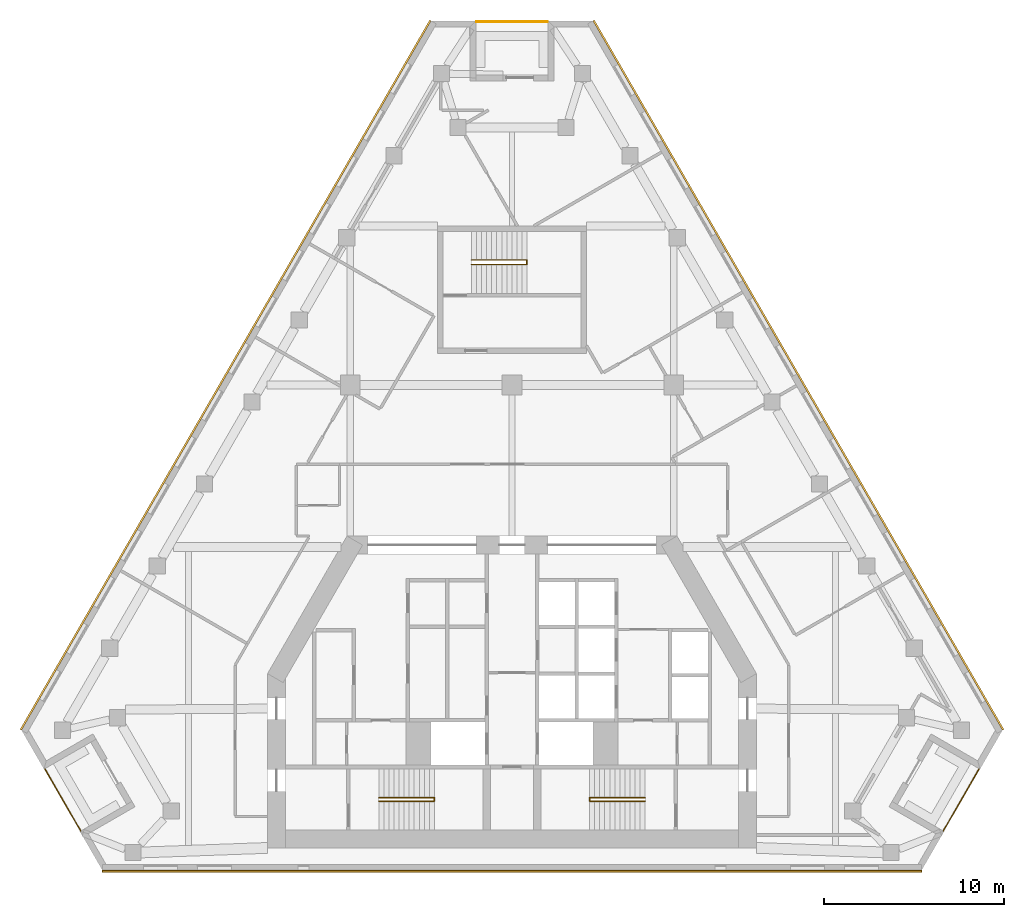
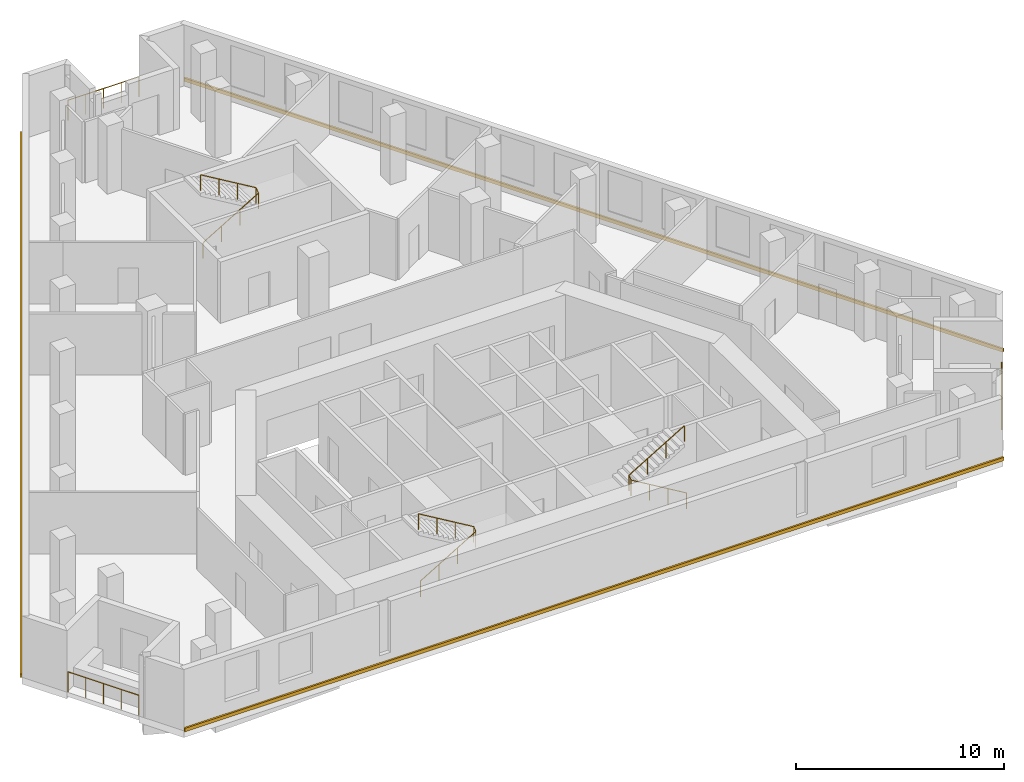
# One storey, part 9 of 9: 6 railings, 3 coverings.
"""IFC4 building model written with IfcOpenShell, lengths in metres."""

from ifc_helpers import new_model, si_unit, direction, frame, origin, origin_2d, place, context, subcontext, project, spatial, polyline, circle, outline, extrude, material, type_object, element, save


model = new_model("IFC4")

# Units and contexts
model_context = context("Model", 3, precision=1e-05, world=origin(), true_north=direction((0.0, 1.0)))
body_context = subcontext(model_context, "Body", "Model", "MODEL_VIEW")
ifc_project = project(units=[si_unit("LENGTHUNIT", "METRE"), si_unit("AREAUNIT", "SQUARE_METRE"), si_unit("VOLUMEUNIT", "CUBIC_METRE"), si_unit("PLANEANGLEUNIT", "RADIAN"), si_unit("MASSUNIT", "GRAM", prefix="KILO")], contexts=[model_context])

# Site, building, storey
site_placement = place(None, origin())
site = spatial("IfcSite", under=ifc_project, at=site_placement, CompositionType="ELEMENT")
building_placement = place(site_placement, origin())
building = spatial("IfcBuilding", under=site, at=building_placement, Name="Fogline Exchange Tower", CompositionType="ELEMENT")
storey_placement = place(building_placement, frame((0.0, 0.0, 214.10009765625)))
storey = spatial("IfcBuildingStorey", under=building, at=storey_placement, Name="L48", CompositionType="ELEMENT", Elevation=214.10009765625)

# Railings
ifc_material_1 = material(Name="Stainless steel 304", Category="steel")
railing_type_1 = type_object("IfcRailingType", Name="G1", PredefinedType="GUARDRAIL", material=ifc_material_1)
railing_1_placement = place(storey_placement, frame((-25.982666015625, 5.635986328125, 0.0)))
element("IfcRailing", 1, at=railing_1_placement, inside=storey, type_object=railing_type_1, Name="Balcony guard L48 SW", PredefinedType="GUARDRAIL", context=body_context, shape_type="SweptSolid", body=[
    extrude(circle(Radius=0.02392578125, at=origin_2d()), frame((0.0, 0.0, 1.17578125), z_axis=(0.500000102728, -0.866025344474, 0.0), x_axis=(0.866025344474, 0.500000102728, 0.0)), (0.0, 0.0, 1.0), 3.9580078125),
    extrude(circle(Radius=0.02099609375, at=origin_2d()), origin(), (0.0, 0.0, 1.0), 1.15185546875),
    extrude(circle(Radius=0.02099609375, at=origin_2d()), frame((0.49462890625, -0.85693359375, 0.0)), (0.0, 0.0, 1.0), 1.15185546875),
    extrude(circle(Radius=0.02099609375, at=origin_2d()), frame((0.989501953125, -1.7138671875, 0.0)), (0.0, 0.0, 1.0), 1.15185546875),
    extrude(circle(Radius=0.02099609375, at=origin_2d()), frame((1.484375, -2.57080078125, 0.0)), (0.0, 0.0, 1.0), 1.15185546875),
    extrude(circle(Radius=0.02099609375, at=origin_2d()), frame((1.97900390625, -3.427734375, 0.0)), (0.0, 0.0, 1.0), 1.15185546875),
])
railing_2_placement = place(storey_placement, frame((24.003662109375, 2.208251953125, 0.0)))
element("IfcRailing", 2, at=railing_2_placement, inside=storey, type_object=railing_type_1, Name="Balcony guard L48 SE", PredefinedType="GUARDRAIL", context=body_context, shape_type="SweptSolid", body=[
    extrude(circle(Radius=0.02392578125, at=origin_2d()), frame((0.0, 0.0, 1.17578125), z_axis=(0.500000102728, 0.866025344474, 0.0), x_axis=(-0.866025344474, 0.500000102728, 0.0)), (0.0, 0.0, 1.0), 3.9580078125),
    extrude(circle(Radius=0.02099609375, at=origin_2d()), origin(), (0.0, 0.0, 1.0), 1.15185546875),
    extrude(circle(Radius=0.02099609375, at=origin_2d()), frame((0.49462890625, 0.85693359375, 0.0)), (0.0, 0.0, 1.0), 1.15185546875),
    extrude(circle(Radius=0.02099609375, at=origin_2d()), frame((0.989501953125, 1.7138671875, 0.0)), (0.0, 0.0, 1.0), 1.15185546875),
    extrude(circle(Radius=0.02099609375, at=origin_2d()), frame((1.484375, 2.57080078125, 0.0)), (0.0, 0.0, 1.0), 1.15185546875),
    extrude(circle(Radius=0.02099609375, at=origin_2d()), frame((1.97900390625, 3.427734375, 0.0)), (0.0, 0.0, 1.0), 1.15185546875),
])
railing_3_placement = place(storey_placement, frame((1.97900390625, 47.211669921875, 0.0)))
element("IfcRailing", 3, at=railing_3_placement, inside=storey, type_object=railing_type_1, Name="Balcony guard L48 N", PredefinedType="GUARDRAIL", context=body_context, shape_type="SweptSolid", body=[
    extrude(circle(Radius=0.02392578125, at=origin_2d()), frame((0.0, 0.0, 1.17578125), z_axis=(-1.0, 0.0, 0.0), x_axis=(0.0, -1.0, 0.0)), (0.0, 0.0, 1.0), 3.9580078125),
    extrude(circle(Radius=0.02099609375, at=origin_2d()), origin(), (0.0, 0.0, 1.0), 1.15185546875),
    extrude(circle(Radius=0.02099609375, at=origin_2d()), frame((-0.989501953125, 0.0, 0.0)), (0.0, 0.0, 1.0), 1.15185546875),
    extrude(circle(Radius=0.02099609375, at=origin_2d()), frame((-1.97900390625, 0.0, 0.0)), (0.0, 0.0, 1.0), 1.15185546875),
    extrude(circle(Radius=0.02099609375, at=origin_2d()), frame((-2.968505859375, 0.0, 0.0)), (0.0, 0.0, 1.0), 1.15185546875),
    extrude(circle(Radius=0.02099609375, at=origin_2d()), frame((-3.9580078125, 0.0, 0.0)), (0.0, 0.0, 1.0), 1.15185546875),
])
ifc_material_2 = material(Name="Steel Q235B", Category="steel")
railing_type_2 = type_object("IfcRailingType", Name="RL-HR", PredefinedType="HANDRAIL", material=ifc_material_2)
railing_4_placement = place(storey_placement, frame((-7.39990234375, 3.85009765625, 0.16650390625)))
element("IfcRailing", 4, at=railing_4_placement, inside=storey, type_object=railing_type_2, Name="Handrail ST1", PredefinedType="HANDRAIL", context=body_context, shape_type="SweptSolid", body=[
    extrude(circle(Radius=0.02392578125, at=origin_2d()), frame((0.0, 0.0, 0.92578125), z_axis=(0.859260807169, 0.0, 0.511537745687), x_axis=(0.0, 1.0, 0.0)), (0.0, 0.0, 1.0), 3.584228515625),
    extrude(circle(Radius=0.02392578125, at=origin_2d()), frame((3.079833984375, 0.0, 2.75927734375), z_axis=(0.0, 0.768451954486, 0.639907488351), x_axis=(-1.0, 0.0, 0.0)), (0.0, 0.0, 1.0), 0.26025390625),
    extrude(circle(Radius=0.02392578125, at=origin_2d()), frame((3.079833984375, 0.199951171875, 2.92578125), z_axis=(-0.859260807169, 0.0, 0.511537745687), x_axis=(0.0, -1.0, 0.0)), (0.0, 0.0, 1.0), 3.584228515625),
    extrude(circle(Radius=0.02099609375, at=origin_2d()), origin(), (0.0, 0.0, 1.0), 0.90185546875),
    extrude(circle(Radius=0.02099609375, at=origin_2d()), frame((1.026611328125, 0.0, 0.611083984375)), (0.0, 0.0, 1.0), 0.90185546875),
    extrude(circle(Radius=0.02099609375, at=origin_2d()), frame((2.05322265625, 0.0, 1.222412109375)), (0.0, 0.0, 1.0), 0.90185546875),
    extrude(circle(Radius=0.02099609375, at=origin_2d()), frame((3.079833984375, 0.0, 1.83349609375)), (0.0, 0.0, 1.0), 0.90185546875),
    extrude(circle(Radius=0.02099609375, at=origin_2d()), frame((3.079833984375, 0.199951171875, 2.0)), (0.0, 0.0, 1.0), 0.90185546875),
    extrude(circle(Radius=0.02099609375, at=origin_2d()), frame((2.05322265625, 0.199951171875, 2.611083984375)), (0.0, 0.0, 1.0), 0.90185546875),
    extrude(circle(Radius=0.02099609375, at=origin_2d()), frame((1.026611328125, 0.199951171875, 3.222412109375)), (0.0, 0.0, 1.0), 0.90185546875),
    extrude(circle(Radius=0.02099609375, at=origin_2d()), frame((0.0, 0.199951171875, 3.83349609375)), (0.0, 0.0, 1.0), 0.90185546875),
])
railing_5_placement = place(storey_placement, frame((7.39990234375, 3.85009765625, 0.16650390625)))
element("IfcRailing", 5, at=railing_5_placement, inside=storey, type_object=railing_type_2, Name="Handrail ST2", PredefinedType="HANDRAIL", context=body_context, shape_type="SweptSolid", body=[
    extrude(circle(Radius=0.02392578125, at=origin_2d()), frame((0.0, 0.0, 0.92578125), z_axis=(-0.859260807169, 0.0, 0.511537745687), x_axis=(0.0, -1.0, 0.0)), (0.0, 0.0, 1.0), 3.584228515625),
    extrude(circle(Radius=0.02392578125, at=origin_2d()), frame((-3.079833984375, 0.0, 2.75927734375), z_axis=(0.0, 0.768451954486, 0.639907488351), x_axis=(-1.0, 0.0, 0.0)), (0.0, 0.0, 1.0), 0.26025390625),
    extrude(circle(Radius=0.02392578125, at=origin_2d()), frame((-3.079833984375, 0.199951171875, 2.92578125), z_axis=(0.859260807169, 0.0, 0.511537745687), x_axis=(0.0, 1.0, 0.0)), (0.0, 0.0, 1.0), 3.584228515625),
    extrude(circle(Radius=0.02099609375, at=origin_2d()), origin(), (0.0, 0.0, 1.0), 0.90185546875),
    extrude(circle(Radius=0.02099609375, at=origin_2d()), frame((-1.026611328125, 0.0, 0.611083984375)), (0.0, 0.0, 1.0), 0.90185546875),
    extrude(circle(Radius=0.02099609375, at=origin_2d()), frame((-2.05322265625, 0.0, 1.222412109375)), (0.0, 0.0, 1.0), 0.90185546875),
    extrude(circle(Radius=0.02099609375, at=origin_2d()), frame((-3.079833984375, 0.0, 1.83349609375)), (0.0, 0.0, 1.0), 0.90185546875),
    extrude(circle(Radius=0.02099609375, at=origin_2d()), frame((-3.079833984375, 0.199951171875, 2.0)), (0.0, 0.0, 1.0), 0.90185546875),
    extrude(circle(Radius=0.02099609375, at=origin_2d()), frame((-2.05322265625, 0.199951171875, 2.611083984375)), (0.0, 0.0, 1.0), 0.90185546875),
    extrude(circle(Radius=0.02099609375, at=origin_2d()), frame((-1.026611328125, 0.199951171875, 3.222412109375)), (0.0, 0.0, 1.0), 0.90185546875),
    extrude(circle(Radius=0.02099609375, at=origin_2d()), frame((0.0, 0.199951171875, 3.83349609375)), (0.0, 0.0, 1.0), 0.90185546875),
])
railing_6_placement = place(storey_placement, frame((-2.25, 33.70703125, 0.16650390625)))
element("IfcRailing", 6, at=railing_6_placement, inside=storey, type_object=railing_type_2, Name="Handrail ST3", PredefinedType="HANDRAIL", context=body_context, shape_type="SweptSolid", body=[
    extrude(circle(Radius=0.02392578125, at=origin_2d()), frame((0.0, 0.0, 0.92578125), z_axis=(0.85927862911, 0.0, 0.511507807912), x_axis=(0.0, 1.0, 0.0)), (0.0, 0.0, 1.0), 3.58447265625),
    extrude(circle(Radius=0.02392578125, at=origin_2d()), frame((3.080078125, 0.0, 2.75927734375), z_axis=(0.0, 0.832300300006, 0.554325004496), x_axis=(-1.0, 0.0, 0.0)), (0.0, 0.0, 1.0), 0.30029296875),
    extrude(circle(Radius=0.02392578125, at=origin_2d()), frame((3.080078125, 0.25, 2.92578125), z_axis=(-0.85927862911, 0.0, 0.511507807912), x_axis=(0.0, -1.0, 0.0)), (0.0, 0.0, 1.0), 3.58447265625),
    extrude(circle(Radius=0.02099609375, at=origin_2d()), origin(), (0.0, 0.0, 1.0), 0.90185546875),
    extrude(circle(Radius=0.02099609375, at=origin_2d()), frame((1.026611328125, 0.0, 0.611083984375)), (0.0, 0.0, 1.0), 0.90185546875),
    extrude(circle(Radius=0.02099609375, at=origin_2d()), frame((2.053466796875, 0.0, 1.222412109375)), (0.0, 0.0, 1.0), 0.90185546875),
    extrude(circle(Radius=0.02099609375, at=origin_2d()), frame((3.080078125, 0.0, 1.83349609375)), (0.0, 0.0, 1.0), 0.90185546875),
    extrude(circle(Radius=0.02099609375, at=origin_2d()), frame((3.080078125, 0.25, 2.0)), (0.0, 0.0, 1.0), 0.90185546875),
    extrude(circle(Radius=0.02099609375, at=origin_2d()), frame((2.053466796875, 0.25, 2.611083984375)), (0.0, 0.0, 1.0), 0.90185546875),
    extrude(circle(Radius=0.02099609375, at=origin_2d()), frame((1.026611328125, 0.25, 3.222412109375)), (0.0, 0.0, 1.0), 0.90185546875),
    extrude(circle(Radius=0.02099609375, at=origin_2d()), frame((0.0, 0.25, 3.83349609375)), (0.0, 0.0, 1.0), 0.90185546875),
])

# Coverings
ifc_material_3 = material(Name="Brick masonry", Category="masonry")
covering_type = type_object("IfcCoveringType", Name="SB1", PredefinedType="CLADDING", material=ifc_material_3)
covering_1_placement = place(storey_placement, origin())
element("IfcCovering", 7, at=covering_1_placement, inside=storey, type_object=covering_type, Name="Stringcourse band L48 S", PredefinedType="CLADDING", context=body_context, shape_type="SweptSolid", body=[
    extrude(outline(polyline([(-22.78662109375, 0.0), (-22.78662109375, -0.10009765625), (22.78662109375, -0.10009765625), (22.78662109375, 0.0), (-22.78662109375, 0.0)])), origin(), (0.0, 0.0, 1.0), 0.199951171875),
])
covering_2_placement = place(storey_placement, origin())
element("IfcCovering", 8, at=covering_2_placement, inside=storey, type_object=covering_type, Name="Stringcourse band L48 E", PredefinedType="CLADDING", context=body_context, shape_type="SweptSolid", body=[
    extrude(outline(polyline([(27.28662109375, 7.794189453125), (27.373046875, 7.84423828125), (4.586669921875, 47.311767578125), (4.5, 47.26171875), (27.28662109375, 7.794189453125)])), origin(), (0.0, 0.0, 1.0), 0.199951171875),
])
covering_3_placement = place(storey_placement, origin())
element("IfcCovering", 9, at=covering_3_placement, inside=storey, type_object=covering_type, Name="Stringcourse band L48 W", PredefinedType="CLADDING", context=body_context, shape_type="SweptSolid", body=[
    extrude(outline(polyline([(-4.5, 47.26171875), (-4.586669921875, 47.311767578125), (-27.373046875, 7.84423828125), (-27.28662109375, 7.794189453125), (-4.5, 47.26171875)])), origin(), (0.0, 0.0, 1.0), 0.199951171875),
])

save(model, "model.ifc")
